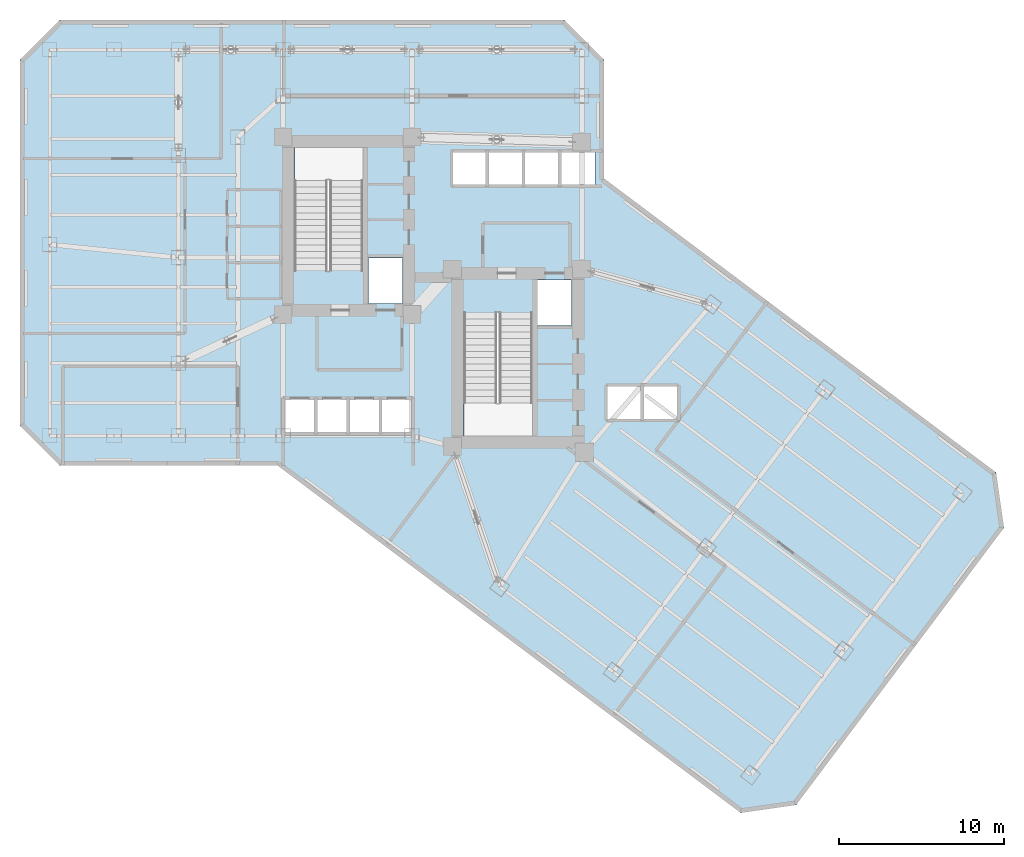
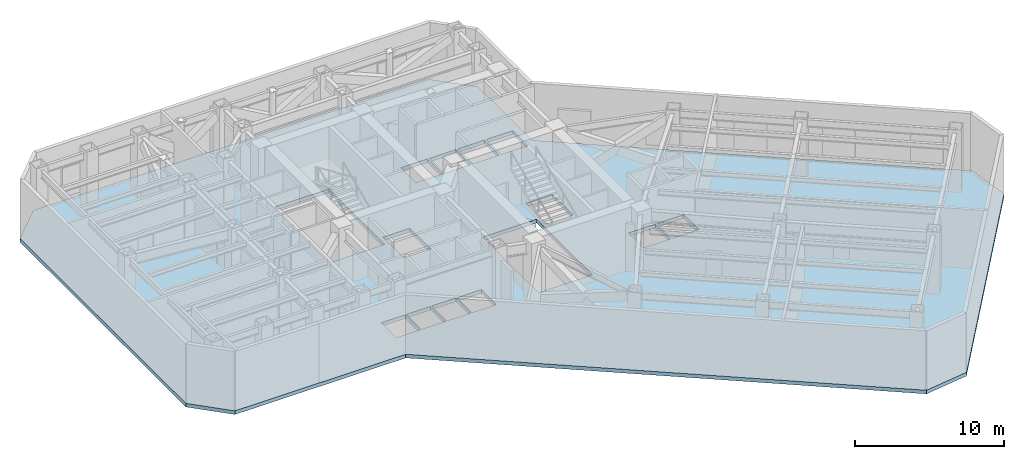
# One storey, part 4 of 14: 1 slab.
"""IFC4 building model written with IfcOpenShell, lengths in metres."""

from ifc_helpers import new_model, si_unit, direction, frame, origin, place, context, subcontext, project, spatial, polyline, outline, extrude, material, layer, layer_set, type_object, element, save


model = new_model("IFC4")

# Units and contexts
model_context = context("Model", 3, precision=1e-05, world=origin(), true_north=direction((0.0, 1.0)))
body_context = subcontext(model_context, "Body", "Model", "MODEL_VIEW")
ifc_project = project(units=[si_unit("LENGTHUNIT", "METRE"), si_unit("AREAUNIT", "SQUARE_METRE"), si_unit("VOLUMEUNIT", "CUBIC_METRE"), si_unit("PLANEANGLEUNIT", "RADIAN"), si_unit("MASSUNIT", "GRAM", prefix="KILO")], contexts=[model_context])

# Site, building, storey
site_placement = place(None, origin())
site = spatial("IfcSite", under=ifc_project, at=site_placement, CompositionType="ELEMENT")
building_placement = place(site_placement, origin())
building = spatial("IfcBuilding", under=site, at=building_placement, Name="Hatsunagi Terrace Concourse", CompositionType="ELEMENT")
storey_placement = place(building_placement, frame((0.0, 0.0, 91.35009765625)))
storey = spatial("IfcBuildingStorey", under=building, at=storey_placement, Name="L24", CompositionType="ELEMENT", Elevation=91.35009765625)

# Slab
ifc_material = material(Name="Concrete Fc42", Category="concrete")
ifc_layer = layer(ifc_material, 0.300048828125)
ifc_layer_set = layer_set([ifc_layer], Name="PodiumTransferSlab_Fc42_300")
slab_type = type_object("IfcSlabType", Name="PodiumTransferSlab_Fc42_300", PredefinedType="FLOOR", material=ifc_layer_set)
slab_placement = place(storey_placement, frame((0.0, 0.0, -0.300048828125)))
element("IfcSlab", 1, at=slab_placement, inside=storey, type_object=slab_type, Name="Floor Slab SL-300 L24", PredefinedType="FLOOR", context=body_context, shape_type="SweptSolid", body=[
    extrude(outline(polyline([(45.0, 40.800048828125), (45.0, 48.0), (42.60009765625, 50.39990234375), (12.0, 50.39990234375), (9.60009765625, 48.0), (9.60009765625, 25.800048828125), (12.0, 23.39990234375), (25.199951171875, 23.39990234375), (53.280029296875, 2.340087890625), (56.639892578125, 2.820068359375), (69.239990234375, 19.6201171875), (68.760009765625, 22.97998046875), (45.0, 40.800048828125)]), holes=[polyline([(26.22998046875, 35.205078125), (30.3798828125, 35.205078125), (30.3798828125, 42.659912109375), (26.22998046875, 42.659912109375), (26.22998046875, 35.205078125)]), polyline([(36.5, 25.199951171875), (40.64990234375, 25.199951171875), (40.64990234375, 32.655029296875), (36.5, 32.655029296875), (36.5, 25.199951171875)]), polyline([(30.719970703125, 33.219970703125), (32.780029296875, 33.219970703125), (32.780029296875, 35.97998046875), (30.719970703125, 35.97998046875), (30.719970703125, 33.219970703125)]), polyline([(40.97998046875, 31.8798828125), (43.02001953125, 31.8798828125), (43.02001953125, 34.639892578125), (40.97998046875, 34.639892578125), (40.97998046875, 31.8798828125)]), polyline([(25.6201171875, 25.39990234375), (27.47998046875, 25.39990234375), (27.47998046875, 27.39990234375), (25.6201171875, 27.39990234375), (25.6201171875, 25.39990234375)]), polyline([(27.580078125, 25.39990234375), (29.43994140625, 25.39990234375), (29.43994140625, 27.39990234375), (27.580078125, 27.39990234375), (27.580078125, 25.39990234375)]), polyline([(29.5400390625, 25.39990234375), (31.39990234375, 25.39990234375), (31.39990234375, 27.39990234375), (29.5400390625, 27.39990234375), (29.5400390625, 25.39990234375)]), polyline([(31.5, 25.39990234375), (33.360107421875, 25.39990234375), (33.360107421875, 27.39990234375), (31.5, 27.39990234375), (31.5, 25.39990234375)]), polyline([(35.800048828125, 40.39990234375), (37.85009765625, 40.39990234375), (37.85009765625, 42.39990234375), (35.800048828125, 42.39990234375), (35.800048828125, 40.39990234375)]), polyline([(38.0, 40.39990234375), (40.050048828125, 40.39990234375), (40.050048828125, 42.39990234375), (38.0, 42.39990234375), (38.0, 40.39990234375)]), polyline([(40.199951171875, 40.39990234375), (42.25, 40.39990234375), (42.25, 42.39990234375), (40.199951171875, 42.39990234375), (40.199951171875, 40.39990234375)]), polyline([(42.39990234375, 40.39990234375), (44.449951171875, 40.39990234375), (44.449951171875, 42.39990234375), (42.39990234375, 42.39990234375), (42.39990234375, 40.39990234375)]), polyline([(45.199951171875, 26.199951171875), (47.25, 26.199951171875), (47.25, 28.199951171875), (45.199951171875, 28.199951171875), (45.199951171875, 26.199951171875)]), polyline([(47.39990234375, 26.199951171875), (49.449951171875, 26.199951171875), (49.449951171875, 28.199951171875), (47.39990234375, 28.199951171875), (47.39990234375, 26.199951171875)])]), origin(), (0.0, 0.0, 1.0), 0.300048828125),
])

save(model, "model.ifc")
